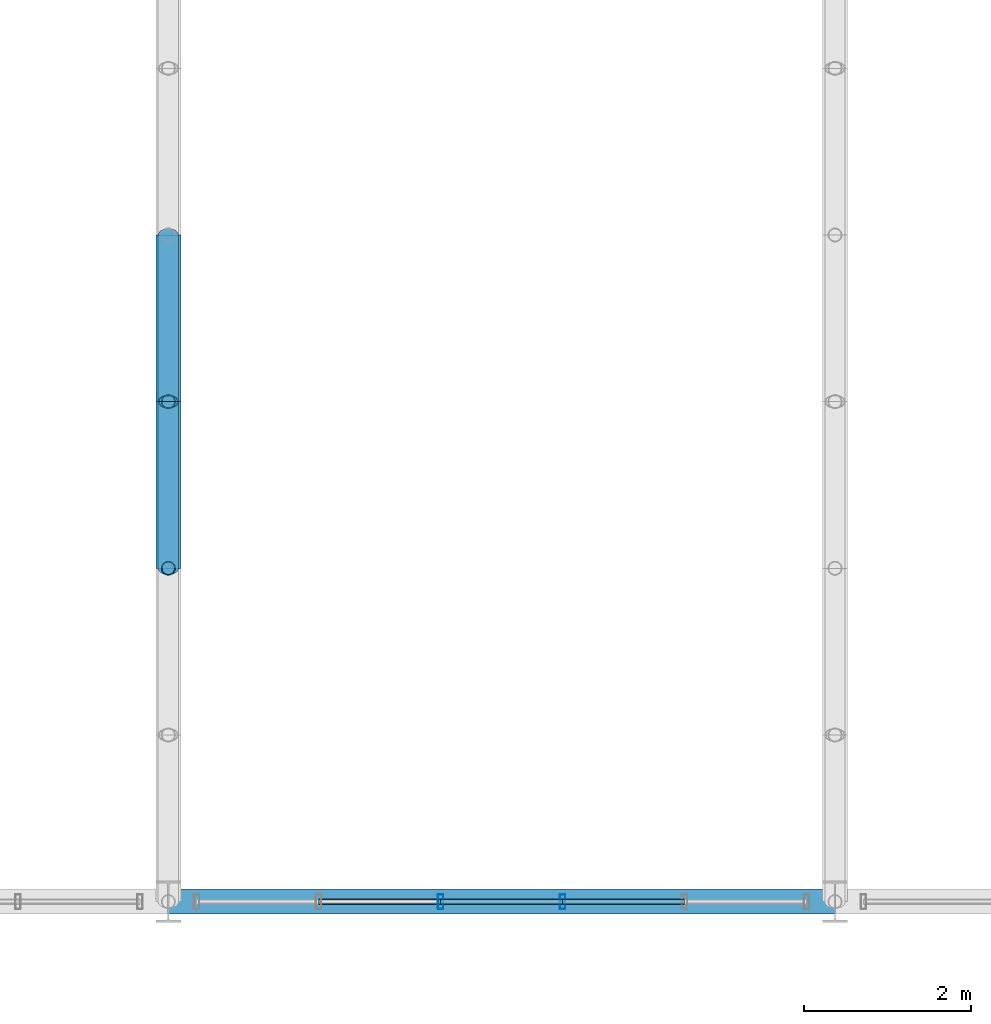
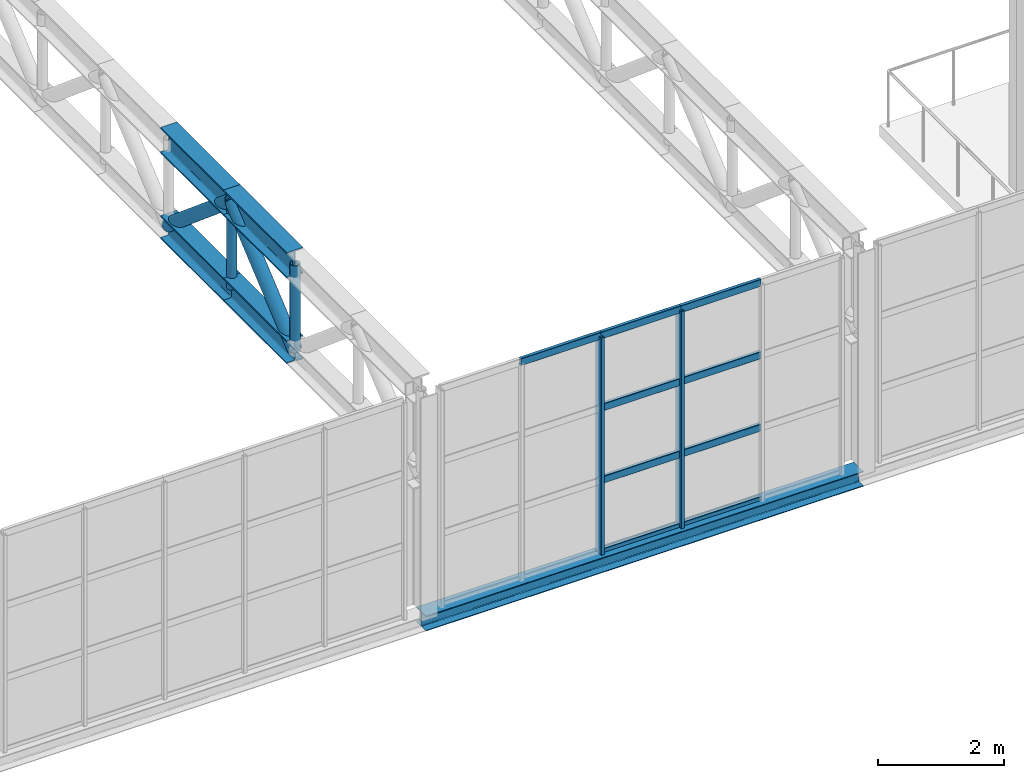
# One storey, part 79 of 143: 19 members, 1 beam, 1 element without a shape of its own.
"""IFC4 building model written with IfcOpenShell, lengths in metres."""

from ifc_helpers import new_model, si_unit, derived_unit, direction, frame, origin, origin_2d, place, context, subcontext, project, spatial, hollow_rectangle, hollow_circle, i_section, extrude, material, material_profile, profile_set, type_object, element, aggregate, save


model = new_model("IFC4")

# Units and contexts
model_context = context("Model", 3, precision=1e-05, world=origin(), true_north=direction((0.0, 1.0)))
body_context = subcontext(model_context, "Body", "Model", "MODEL_VIEW")
ifc_project = project(units=[si_unit("LENGTHUNIT", "METRE"), si_unit("AREAUNIT", "SQUARE_METRE"), si_unit("VOLUMEUNIT", "CUBIC_METRE"), si_unit("PLANEANGLEUNIT", "RADIAN"), si_unit("MASSUNIT", "GRAM", prefix="KILO"), derived_unit("THERMALTRANSMITTANCEUNIT", [(si_unit("POWERUNIT", "WATT"), 1), (si_unit("LENGTHUNIT", "METRE"), -2), (si_unit("THERMODYNAMICTEMPERATUREUNIT", "KELVIN"), -1)])], contexts=[model_context])

# Site, building, storey
site_placement = place(None, origin())
site = spatial("IfcSite", under=ifc_project, at=site_placement, CompositionType="ELEMENT")
building_placement = place(site_placement, origin())
building = spatial("IfcBuilding", under=site, at=building_placement, Name="Keldorne Ridge Multi-Sports Centre", CompositionType="ELEMENT")
storey_placement = place(building_placement, frame((0.0, 0.0, 4.800048828125)))
storey = spatial("IfcBuildingStorey", under=building, at=storey_placement, Name="L01", CompositionType="ELEMENT", Elevation=4.800048828125)

# Beam
ifc_material_1 = material(Name="Steel S355", Category="steel")
ifc_material_profile_1 = material_profile(ifc_material_1, i_section(OverallWidth=0.300048828125, OverallDepth=0.2900390625, WebThickness=0.008544921875, FlangeThickness=0.013916015625, FilletRadius=0.027099609375, at=origin_2d()), Name="HEA 300")
ifc_profile_set_1 = profile_set([ifc_material_profile_1], Name="Steel S355")
beam_type = type_object("IfcBeamType", Name="BM-SP-04", PredefinedType="SPANDREL", material=ifc_profile_set_1)
beam_placement = place(storey_placement, frame((144.0, 6.0, -0.150146484375), z_axis=(1.0, 0.0, 0.0), x_axis=(0.0, 1.0, 0.0)))
element("IfcBeam", 1, at=beam_placement, inside=storey, type_object=beam_type, Name="Stacked Courts spandrel L01.6.6", PredefinedType="SPANDREL", context=body_context, shape_type="SweptSolid", body=[
    extrude(i_section(OverallWidth=0.300048828125, OverallDepth=0.2900390625, WebThickness=0.008544921875, FlangeThickness=0.013916015625, FilletRadius=0.027099609375, at=origin_2d()), origin(), (0.0, 0.0, 1.0), 8.0),
])

# Curtain wall, members
ifc_material_2 = material(Name="Anodized aluminium", Category="aluminium")
curtain_wall_type = type_object("IfcCurtainWallType", Name="CW-CW-07", PredefinedType="NOTDEFINED", material=ifc_material_2)
curtain_wall_placement = place(storey_placement, origin())
curtain_wall = element("IfcCurtainWall", 2, at=curtain_wall_placement, inside=storey, type_object=curtain_wall_type, Name="Lower Courts high clerestory 119", PredefinedType="NOTDEFINED")
ifc_material_profile_2 = material_profile(ifc_material_2, hollow_rectangle(XDim=0.06494140625, YDim=0.179931640625, WallThickness=0.00439453125, InnerFilletRadius=0.00439453125, OuterFilletRadius=0.009033203125, at=origin_2d()), Name="ALU MULLION 180x65x4.5")
ifc_profile_set_2 = profile_set([ifc_material_profile_2], Name="Anodized aluminium")
member_type_1 = type_object("IfcMemberType", Name="MEM-ML-01", PredefinedType="MULLION", material=ifc_profile_set_2)
member_1_placement = place(storey_placement, frame((147.26806640625, 6.0, 0.0), z_axis=(0.0, 0.0, 1.0), x_axis=(1.0, 0.0, 0.0)))
member_1 = element("IfcMember", 3, at=member_1_placement, type_object=member_type_1, Name="CW-119 vertical mullion 3", PredefinedType="MULLION", context=body_context, shape_type="SweptSolid", body=[
    extrude(hollow_rectangle(XDim=0.06494140625, YDim=0.179931640625, WallThickness=0.00439453125, InnerFilletRadius=0.00439453125, OuterFilletRadius=0.009033203125, at=origin_2d()), origin(), (0.0, 0.0, 1.0), 4.199951171875),
])
member_2_placement = place(storey_placement, frame((148.73193359375, 6.0, 0.0), z_axis=(0.0, 0.0, 1.0), x_axis=(1.0, 0.0, 0.0)))
member_2 = element("IfcMember", 4, at=member_2_placement, type_object=member_type_1, Name="CW-119 vertical mullion 4", PredefinedType="MULLION", context=body_context, shape_type="SweptSolid", body=[
    extrude(hollow_rectangle(XDim=0.06494140625, YDim=0.179931640625, WallThickness=0.00439453125, InnerFilletRadius=0.00439453125, OuterFilletRadius=0.009033203125, at=origin_2d()), origin(), (0.0, 0.0, 1.0), 4.199951171875),
])

# Members
ifc_material_profile_3 = material_profile(ifc_material_1, i_section(OverallWidth=0.300048828125, OverallDepth=0.5, WebThickness=0.014404296875, FlangeThickness=0.028076171875, FilletRadius=0.027099609375, at=origin_2d()), Name="HEB 500")
ifc_profile_set_3 = profile_set([ifc_material_profile_3], Name="Steel S355")
member_type_2 = type_object("IfcMemberType", Name="MEM-TC-03", PredefinedType="CHORD", material=ifc_profile_set_3)
for number, where, z_axis, x_axis, name in (
    (5, (144.0, 10.0, 4.31005859375), (0.0, 1.0, 0.0), (-1.0, 0.0, 0.0), "Stacked Courts Warren TRUSS WT-L02-06 top chord 3"),
    (6, (144.0, 12.0, 4.31005859375), (0.0, 1.0, 0.0), (-1.0, 0.0, 0.0), "Stacked Courts Warren TRUSS WT-L02-06 top chord 4"),
):
    element("IfcMember", number, at=place(storey_placement, frame(where, z_axis=z_axis, x_axis=x_axis)), inside=storey, type_object=member_type_2, Name=name, PredefinedType="CHORD", context=body_context, shape_type="SweptSolid", body=[
        extrude(i_section(OverallWidth=0.300048828125, OverallDepth=0.5, WebThickness=0.014404296875, FlangeThickness=0.028076171875, FilletRadius=0.027099609375, at=origin_2d()), origin(), (0.0, 0.0, 1.0), 2.0),
    ])
ifc_material_profile_4 = material_profile(ifc_material_1, i_section(OverallWidth=0.300048828125, OverallDepth=0.449951171875, WebThickness=0.013916015625, FlangeThickness=0.02587890625, FilletRadius=0.027099609375, at=origin_2d()), Name="HEB 450")
ifc_profile_set_4 = profile_set([ifc_material_profile_4], Name="Steel S355")
member_type_3 = type_object("IfcMemberType", Name="MEM-TC-04", PredefinedType="CHORD", material=ifc_profile_set_4)
for number, where, z_axis, x_axis, name in (
    (7, (144.0, 10.0, 2.6298828125), (0.0, 1.0, 0.0), (-1.0, 0.0, 0.0), "Stacked Courts Warren TRUSS WT-L02-06 bottom chord 3"),
    (8, (144.0, 12.0, 2.6298828125), (0.0, 1.0, 0.0), (-1.0, 0.0, 0.0), "Stacked Courts Warren TRUSS WT-L02-06 bottom chord 4"),
):
    element("IfcMember", number, at=place(storey_placement, frame(where, z_axis=z_axis, x_axis=x_axis)), inside=storey, type_object=member_type_3, Name=name, PredefinedType="CHORD", context=body_context, shape_type="SweptSolid", body=[
        extrude(i_section(OverallWidth=0.300048828125, OverallDepth=0.449951171875, WebThickness=0.013916015625, FlangeThickness=0.02587890625, FilletRadius=0.027099609375, at=origin_2d()), origin(), (0.0, 0.0, 1.0), 2.0),
    ])
ifc_material_profile_5 = material_profile(ifc_material_1, hollow_circle(Radius=0.122314453125, WallThickness=0.012451171875, at=origin_2d()), Name="CHS 244.5x12.5")
ifc_profile_set_5 = profile_set([ifc_material_profile_5], Name="Steel S355")
member_type_4 = type_object("IfcMemberType", Name="MEM-TD-02", PredefinedType="BRACE", material=ifc_profile_set_5)
for number, where, z_axis, x_axis, name in (
    (9, (144.0, 10.0, 2.6298828125), (0.0, 0.765671721121, 0.643231541108), (-1.0, 0.0, 0.0), "Stacked Courts Warren TRUSS WT-L02-06 diagonal 3"),
    (10, (144.0, 12.0, 4.31005859375), (0.0, 0.765671721121, -0.643231541108), (-1.0, 0.0, 0.0), "Stacked Courts Warren TRUSS WT-L02-06 diagonal 4"),
):
    element("IfcMember", number, at=place(storey_placement, frame(where, z_axis=z_axis, x_axis=x_axis)), inside=storey, type_object=member_type_4, Name=name, PredefinedType="BRACE", context=body_context, shape_type="SweptSolid", body=[
        extrude(hollow_circle(Radius=0.122314453125, WallThickness=0.012451171875, at=origin_2d()), origin(), (0.0, 0.0, 1.0), 2.612060546875),
    ])

# Member
ifc_material_profile_6 = material_profile(ifc_material_2, hollow_rectangle(XDim=0.06494140625, YDim=0.139892578125, WallThickness=0.00439453125, InnerFilletRadius=0.00439453125, OuterFilletRadius=0.009033203125, at=origin_2d()), Name="ALU TRANSOM 140x65x4.5")
ifc_profile_set_6 = profile_set([ifc_material_profile_6], Name="Anodized aluminium")
member_type_5 = type_object("IfcMemberType", Name="MEM-TR-01", PredefinedType="USERDEFINED", material=ifc_profile_set_6)
member_3_placement = place(storey_placement, frame((145.803955078125, 6.0, 4.199951171875), z_axis=(1.0, 0.0, 0.0), x_axis=(0.0, 1.0, 0.0)))
member_3 = element("IfcMember", 11, at=member_3_placement, type_object=member_type_5, Name="CW-119 transom 2.4", ObjectType="TRANSOM", PredefinedType="USERDEFINED", context=body_context, shape_type="SweptSolid", body=[
    extrude(hollow_rectangle(XDim=0.06494140625, YDim=0.139892578125, WallThickness=0.00439453125, InnerFilletRadius=0.00439453125, OuterFilletRadius=0.009033203125, at=origin_2d()), origin(), (0.0, 0.0, 1.0), 1.464111328125),
])

member_4_placement = place(storey_placement, frame((147.26806640625, 6.0, 0.0), z_axis=(1.0, 0.0, 0.0), x_axis=(0.0, 1.0, 0.0)))
member_4 = element("IfcMember", 12, at=member_4_placement, type_object=member_type_5, Name="CW-119 transom 3.1", ObjectType="TRANSOM", PredefinedType="USERDEFINED", context=body_context, shape_type="SweptSolid", body=[
    extrude(hollow_rectangle(XDim=0.06494140625, YDim=0.139892578125, WallThickness=0.00439453125, InnerFilletRadius=0.00439453125, OuterFilletRadius=0.009033203125, at=origin_2d()), origin(), (0.0, 0.0, 1.0), 1.4638671875),
])

member_5_placement = place(storey_placement, frame((147.26806640625, 6.0, 1.39990234375), z_axis=(1.0, 0.0, 0.0), x_axis=(0.0, 1.0, 0.0)))
member_5 = element("IfcMember", 13, at=member_5_placement, type_object=member_type_5, Name="CW-119 transom 3.2", ObjectType="TRANSOM", PredefinedType="USERDEFINED", context=body_context, shape_type="SweptSolid", body=[
    extrude(hollow_rectangle(XDim=0.06494140625, YDim=0.139892578125, WallThickness=0.00439453125, InnerFilletRadius=0.00439453125, OuterFilletRadius=0.009033203125, at=origin_2d()), origin(), (0.0, 0.0, 1.0), 1.4638671875),
])

member_6_placement = place(storey_placement, frame((147.26806640625, 6.0, 2.800048828125), z_axis=(1.0, 0.0, 0.0), x_axis=(0.0, 1.0, 0.0)))
member_6 = element("IfcMember", 14, at=member_6_placement, type_object=member_type_5, Name="CW-119 transom 3.3", ObjectType="TRANSOM", PredefinedType="USERDEFINED", context=body_context, shape_type="SweptSolid", body=[
    extrude(hollow_rectangle(XDim=0.06494140625, YDim=0.139892578125, WallThickness=0.00439453125, InnerFilletRadius=0.00439453125, OuterFilletRadius=0.009033203125, at=origin_2d()), origin(), (0.0, 0.0, 1.0), 1.4638671875),
])

member_7_placement = place(storey_placement, frame((147.26806640625, 6.0, 4.199951171875), z_axis=(1.0, 0.0, 0.0), x_axis=(0.0, 1.0, 0.0)))
member_7 = element("IfcMember", 15, at=member_7_placement, type_object=member_type_5, Name="CW-119 transom 3.4", ObjectType="TRANSOM", PredefinedType="USERDEFINED", context=body_context, shape_type="SweptSolid", body=[
    extrude(hollow_rectangle(XDim=0.06494140625, YDim=0.139892578125, WallThickness=0.00439453125, InnerFilletRadius=0.00439453125, OuterFilletRadius=0.009033203125, at=origin_2d()), origin(), (0.0, 0.0, 1.0), 1.4638671875),
])

member_8_placement = place(storey_placement, frame((148.73193359375, 6.0, 0.0), z_axis=(1.0, 0.0, 0.0), x_axis=(0.0, 1.0, 0.0)))
member_8 = element("IfcMember", 16, at=member_8_placement, type_object=member_type_5, Name="CW-119 transom 4.1", ObjectType="TRANSOM", PredefinedType="USERDEFINED", context=body_context, shape_type="SweptSolid", body=[
    extrude(hollow_rectangle(XDim=0.06494140625, YDim=0.139892578125, WallThickness=0.00439453125, InnerFilletRadius=0.00439453125, OuterFilletRadius=0.009033203125, at=origin_2d()), origin(), (0.0, 0.0, 1.0), 1.464111328125),
])

member_9_placement = place(storey_placement, frame((148.73193359375, 6.0, 1.39990234375), z_axis=(1.0, 0.0, 0.0), x_axis=(0.0, 1.0, 0.0)))
member_9 = element("IfcMember", 17, at=member_9_placement, type_object=member_type_5, Name="CW-119 transom 4.2", ObjectType="TRANSOM", PredefinedType="USERDEFINED", context=body_context, shape_type="SweptSolid", body=[
    extrude(hollow_rectangle(XDim=0.06494140625, YDim=0.139892578125, WallThickness=0.00439453125, InnerFilletRadius=0.00439453125, OuterFilletRadius=0.009033203125, at=origin_2d()), origin(), (0.0, 0.0, 1.0), 1.464111328125),
])

member_10_placement = place(storey_placement, frame((148.73193359375, 6.0, 2.800048828125), z_axis=(1.0, 0.0, 0.0), x_axis=(0.0, 1.0, 0.0)))
member_10 = element("IfcMember", 18, at=member_10_placement, type_object=member_type_5, Name="CW-119 transom 4.3", ObjectType="TRANSOM", PredefinedType="USERDEFINED", context=body_context, shape_type="SweptSolid", body=[
    extrude(hollow_rectangle(XDim=0.06494140625, YDim=0.139892578125, WallThickness=0.00439453125, InnerFilletRadius=0.00439453125, OuterFilletRadius=0.009033203125, at=origin_2d()), origin(), (0.0, 0.0, 1.0), 1.464111328125),
])

member_11_placement = place(storey_placement, frame((148.73193359375, 6.0, 4.199951171875), z_axis=(1.0, 0.0, 0.0), x_axis=(0.0, 1.0, 0.0)))
member_11 = element("IfcMember", 19, at=member_11_placement, type_object=member_type_5, Name="CW-119 transom 4.4", ObjectType="TRANSOM", PredefinedType="USERDEFINED", context=body_context, shape_type="SweptSolid", body=[
    extrude(hollow_rectangle(XDim=0.06494140625, YDim=0.139892578125, WallThickness=0.00439453125, InnerFilletRadius=0.00439453125, OuterFilletRadius=0.009033203125, at=origin_2d()), origin(), (0.0, 0.0, 1.0), 1.464111328125),
])

aggregate(curtain_wall, [member_1, member_2, member_3, member_4, member_5, member_6, member_7, member_8, member_9, member_10, member_11])

# Members
ifc_material_profile_7 = material_profile(ifc_material_1, hollow_circle(Radius=0.084228515625, WallThickness=0.010009765625, at=origin_2d()), Name="CHS 168.3x10")
ifc_profile_set_7 = profile_set([ifc_material_profile_7], Name="Steel S355")
member_type_6 = type_object("IfcMemberType", Name="MEM-TV-01", PredefinedType="STRUT", material=ifc_profile_set_7)
for number, where, z_axis, x_axis, name in (
    (20, (144.0, 10.0, 2.6298828125), (0.0, 0.0, 1.0), (1.0, 0.0, 0.0), "Stacked Courts Warren TRUSS WT-L02-06 post 3"),
    (21, (144.0, 12.0, 2.6298828125), (0.0, 0.0, 1.0), (1.0, 0.0, 0.0), "Stacked Courts Warren TRUSS WT-L02-06 post 4"),
):
    element("IfcMember", number, at=place(storey_placement, frame(where, z_axis=z_axis, x_axis=x_axis)), inside=storey, type_object=member_type_6, Name=name, PredefinedType="STRUT", context=body_context, shape_type="SweptSolid", body=[
        extrude(hollow_circle(Radius=0.084228515625, WallThickness=0.010009765625, at=origin_2d()), origin(), (0.0, 0.0, 1.0), 1.68017578125),
    ])

save(model, "model.ifc")
